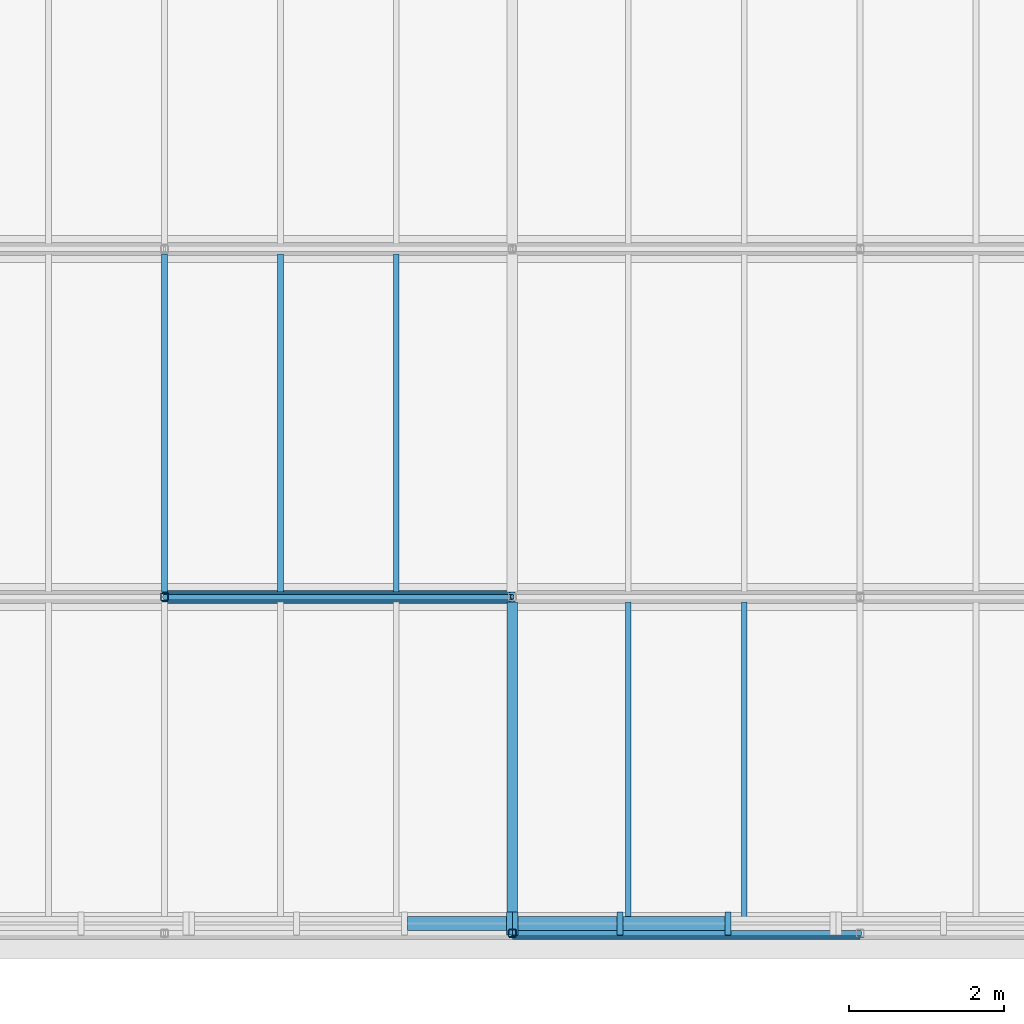
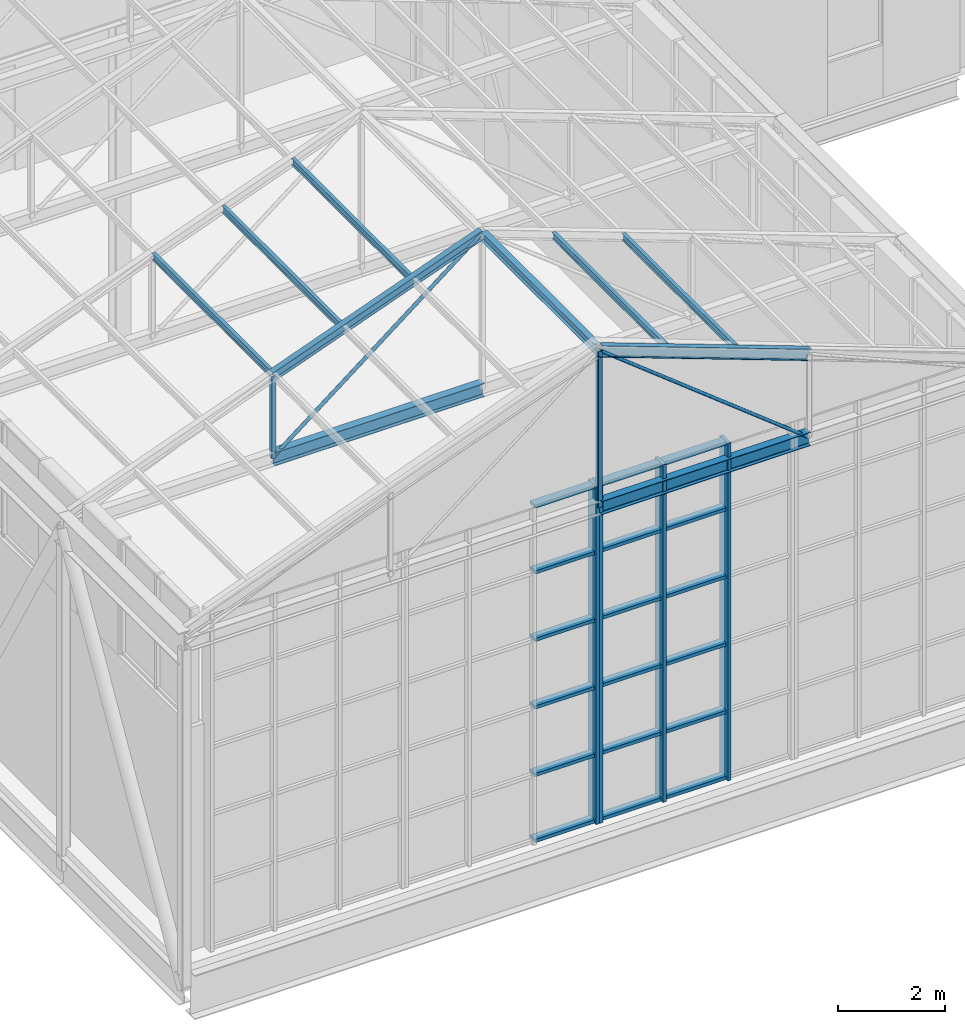
# One storey, part 13 of 90: 36 members, 2 elements without a shape of their own.
"""IFC4 building model written with IfcOpenShell, lengths in metres."""

from ifc_helpers import new_model, si_unit, direction, frame, origin, origin_2d, place, context, subcontext, project, spatial, rectangle, hollow_rectangle, hollow_circle, i_section, extrude, material, layer, layer_set, material_profile, profile_set, type_object, element, aggregate, save


model = new_model("IFC4")

# Units and contexts
model_context = context("Model", 3, precision=1e-05, world=origin(), true_north=direction((0.0, 1.0)))
body_context = subcontext(model_context, "Body", "Model", "MODEL_VIEW")
ifc_project = project(units=[si_unit("LENGTHUNIT", "METRE"), si_unit("AREAUNIT", "SQUARE_METRE"), si_unit("VOLUMEUNIT", "CUBIC_METRE"), si_unit("PLANEANGLEUNIT", "RADIAN"), si_unit("MASSUNIT", "GRAM", prefix="KILO")], contexts=[model_context])

# Site, building, storey
site_placement = place(None, origin())
site = spatial("IfcSite", under=ifc_project, at=site_placement, CompositionType="ELEMENT")
building_placement = place(site_placement, origin())
building = spatial("IfcBuilding", under=site, at=building_placement, Name="Halyard Row Museum", CompositionType="ELEMENT")
storey_placement = place(building_placement, frame((0.0, 0.0, 13.39990234375)))
storey = spatial("IfcBuildingStorey", under=building, at=storey_placement, Name="L03", CompositionType="ELEMENT", Elevation=13.39990234375)

# Curtain wall, member
ifc_material_1 = material(Name="Double glazed unit, low-emissivity", Category="glass")
ifc_layer = layer(ifc_material_1, 0.300048828125)
ifc_layer_set = layer_set([ifc_layer], Name="Double glazed unit, low-emissivity")
curtain_wall_type = type_object("IfcCurtainWallType", Name="Curtain wall deep-framed 300 deep", PredefinedType="NOTDEFINED", material=ifc_layer_set)
curtain_wall_1_placement = place(storey_placement, origin())
curtain_wall_1 = element("IfcCurtainWall", 1, at=curtain_wall_1_placement, inside=storey, type_object=curtain_wall_type, Name="Curtain wall CW064", PredefinedType="NOTDEFINED")
ifc_material_2 = material(Name="Powder-coated aluminium section", Category="aluminium")
ifc_material_profile_1 = material_profile(ifc_material_2, rectangle(XDim=0.300048828125, YDim=0.074951171875, at=origin_2d()), Name="300x75 mullion")
ifc_profile_set_1 = profile_set([ifc_material_profile_1], Name="Powder-coated aluminium section")
member_type_1 = type_object("IfcMemberType", Name="Curtain wall mullion CM6 75 x 300", PredefinedType="MULLION", material=ifc_profile_set_1)
member_1_placement = place(storey_placement, frame((44.96240234375, 0.27490234375, 0.0), z_axis=(0.0, 0.0, 1.0), x_axis=(0.0, 1.0, 0.0)))
member_1 = element("IfcMember", 2, at=member_1_placement, type_object=member_type_1, Name="CW064 mullion 4", PredefinedType="MULLION", context=body_context, shape_type="SweptSolid", body=[
    extrude(rectangle(XDim=0.300048828125, YDim=0.074951171875, at=origin_2d()), origin(), (0.0, 0.0, 1.0), 7.6728515625),
])

# Curtain wall, members
curtain_wall_2_placement = place(storey_placement, origin())
curtain_wall_2 = element("IfcCurtainWall", 3, at=curtain_wall_2_placement, inside=storey, type_object=curtain_wall_type, Name="Curtain wall CW065", PredefinedType="NOTDEFINED")
member_2_placement = place(storey_placement, frame((45.03759765625, 0.27490234375, 0.0), z_axis=(0.0, 0.0, 1.0), x_axis=(0.0, 1.0, 0.0)))
member_2 = element("IfcMember", 4, at=member_2_placement, type_object=member_type_1, Name="CW065 mullion 1", PredefinedType="MULLION", context=body_context, shape_type="SweptSolid", body=[
    extrude(rectangle(XDim=0.300048828125, YDim=0.074951171875, at=origin_2d()), origin(), (0.0, 0.0, 1.0), 7.6728515625),
])
member_3_placement = place(storey_placement, frame((46.39501953125, 0.27490234375, 0.0), z_axis=(0.0, 0.0, 1.0), x_axis=(0.0, 1.0, 0.0)))
member_3 = element("IfcMember", 5, at=member_3_placement, type_object=member_type_1, Name="CW065 mullion 2", PredefinedType="MULLION", context=body_context, shape_type="SweptSolid", body=[
    extrude(rectangle(XDim=0.300048828125, YDim=0.074951171875, at=origin_2d()), origin(), (0.0, 0.0, 1.0), 7.6728515625),
])
member_4_placement = place(storey_placement, frame((47.7900390625, 0.27490234375, 0.0), z_axis=(0.0, 0.0, 1.0), x_axis=(0.0, 1.0, 0.0)))
member_4 = element("IfcMember", 6, at=member_4_placement, type_object=member_type_1, Name="CW065 mullion 3", PredefinedType="MULLION", context=body_context, shape_type="SweptSolid", body=[
    extrude(rectangle(XDim=0.300048828125, YDim=0.074951171875, at=origin_2d()), origin(), (0.0, 0.0, 1.0), 7.6728515625),
])

# Member
ifc_material_3 = material(Name="Powder-coated aluminium section", Category="aluminium")
ifc_material_profile_2 = material_profile(ifc_material_3, rectangle(XDim=0.179931640625, YDim=0.074951171875, at=origin_2d()), Name="180x75 transom")
ifc_profile_set_2 = profile_set([ifc_material_profile_2], Name="Powder-coated aluminium section")
member_type_2 = type_object("IfcMemberType", Name="Curtain wall transom CT6 75 x 180", PredefinedType="USERDEFINED", material=ifc_profile_set_2)
member_5_placement = place(storey_placement, frame((43.642578125, 0.27490234375, 0.03759765625), z_axis=(1.0, 0.0, 0.0), x_axis=(0.0, 1.0, 0.0)))
member_5 = element("IfcMember", 7, at=member_5_placement, type_object=member_type_2, Name="CW064 transom 3.1", ObjectType="TRANSOM", PredefinedType="USERDEFINED", context=body_context, shape_type="SweptSolid", body=[
    extrude(rectangle(XDim=0.179931640625, YDim=0.074951171875, at=origin_2d()), origin(), (0.0, 0.0, 1.0), 1.282470703125),
])

member_6_placement = place(storey_placement, frame((43.642578125, 0.27490234375, 1.53466796875), z_axis=(1.0, 0.0, 0.0), x_axis=(0.0, 1.0, 0.0)))
member_6 = element("IfcMember", 8, at=member_6_placement, type_object=member_type_2, Name="CW064 transom 3.2", ObjectType="TRANSOM", PredefinedType="USERDEFINED", context=body_context, shape_type="SweptSolid", body=[
    extrude(rectangle(XDim=0.179931640625, YDim=0.074951171875, at=origin_2d()), origin(), (0.0, 0.0, 1.0), 1.282470703125),
])

member_7_placement = place(storey_placement, frame((43.642578125, 0.27490234375, 3.069091796875), z_axis=(1.0, 0.0, 0.0), x_axis=(0.0, 1.0, 0.0)))
member_7 = element("IfcMember", 9, at=member_7_placement, type_object=member_type_2, Name="CW064 transom 3.3", ObjectType="TRANSOM", PredefinedType="USERDEFINED", context=body_context, shape_type="SweptSolid", body=[
    extrude(rectangle(XDim=0.179931640625, YDim=0.074951171875, at=origin_2d()), origin(), (0.0, 0.0, 1.0), 1.282470703125),
])

member_8_placement = place(storey_placement, frame((43.642578125, 0.27490234375, 4.603759765625), z_axis=(1.0, 0.0, 0.0), x_axis=(0.0, 1.0, 0.0)))
member_8 = element("IfcMember", 10, at=member_8_placement, type_object=member_type_2, Name="CW064 transom 3.4", ObjectType="TRANSOM", PredefinedType="USERDEFINED", context=body_context, shape_type="SweptSolid", body=[
    extrude(rectangle(XDim=0.179931640625, YDim=0.074951171875, at=origin_2d()), origin(), (0.0, 0.0, 1.0), 1.282470703125),
])

member_9_placement = place(storey_placement, frame((43.642578125, 0.27490234375, 6.13818359375), z_axis=(1.0, 0.0, 0.0), x_axis=(0.0, 1.0, 0.0)))
member_9 = element("IfcMember", 11, at=member_9_placement, type_object=member_type_2, Name="CW064 transom 3.5", ObjectType="TRANSOM", PredefinedType="USERDEFINED", context=body_context, shape_type="SweptSolid", body=[
    extrude(rectangle(XDim=0.179931640625, YDim=0.074951171875, at=origin_2d()), origin(), (0.0, 0.0, 1.0), 1.282470703125),
])

member_10_placement = place(storey_placement, frame((43.642578125, 0.27490234375, 7.63525390625), z_axis=(1.0, 0.0, 0.0), x_axis=(0.0, 1.0, 0.0)))
member_10 = element("IfcMember", 12, at=member_10_placement, type_object=member_type_2, Name="CW064 transom 3.6", ObjectType="TRANSOM", PredefinedType="USERDEFINED", context=body_context, shape_type="SweptSolid", body=[
    extrude(rectangle(XDim=0.179931640625, YDim=0.074951171875, at=origin_2d()), origin(), (0.0, 0.0, 1.0), 1.282470703125),
])

aggregate(curtain_wall_1, [member_1, member_5, member_6, member_7, member_8, member_9, member_10])

member_11_placement = place(storey_placement, frame((45.074951171875, 0.27490234375, 0.03759765625), z_axis=(1.0, 0.0, 0.0), x_axis=(0.0, 1.0, 0.0)))
member_11 = element("IfcMember", 13, at=member_11_placement, type_object=member_type_2, Name="CW065 transom 1.1", ObjectType="TRANSOM", PredefinedType="USERDEFINED", context=body_context, shape_type="SweptSolid", body=[
    extrude(rectangle(XDim=0.179931640625, YDim=0.074951171875, at=origin_2d()), origin(), (0.0, 0.0, 1.0), 1.282470703125),
])

member_12_placement = place(storey_placement, frame((45.074951171875, 0.27490234375, 1.53466796875), z_axis=(1.0, 0.0, 0.0), x_axis=(0.0, 1.0, 0.0)))
member_12 = element("IfcMember", 14, at=member_12_placement, type_object=member_type_2, Name="CW065 transom 1.2", ObjectType="TRANSOM", PredefinedType="USERDEFINED", context=body_context, shape_type="SweptSolid", body=[
    extrude(rectangle(XDim=0.179931640625, YDim=0.074951171875, at=origin_2d()), origin(), (0.0, 0.0, 1.0), 1.282470703125),
])

member_13_placement = place(storey_placement, frame((45.074951171875, 0.27490234375, 3.069091796875), z_axis=(1.0, 0.0, 0.0), x_axis=(0.0, 1.0, 0.0)))
member_13 = element("IfcMember", 15, at=member_13_placement, type_object=member_type_2, Name="CW065 transom 1.3", ObjectType="TRANSOM", PredefinedType="USERDEFINED", context=body_context, shape_type="SweptSolid", body=[
    extrude(rectangle(XDim=0.179931640625, YDim=0.074951171875, at=origin_2d()), origin(), (0.0, 0.0, 1.0), 1.282470703125),
])

member_14_placement = place(storey_placement, frame((45.074951171875, 0.27490234375, 4.603759765625), z_axis=(1.0, 0.0, 0.0), x_axis=(0.0, 1.0, 0.0)))
member_14 = element("IfcMember", 16, at=member_14_placement, type_object=member_type_2, Name="CW065 transom 1.4", ObjectType="TRANSOM", PredefinedType="USERDEFINED", context=body_context, shape_type="SweptSolid", body=[
    extrude(rectangle(XDim=0.179931640625, YDim=0.074951171875, at=origin_2d()), origin(), (0.0, 0.0, 1.0), 1.282470703125),
])

member_15_placement = place(storey_placement, frame((45.074951171875, 0.27490234375, 6.13818359375), z_axis=(1.0, 0.0, 0.0), x_axis=(0.0, 1.0, 0.0)))
member_15 = element("IfcMember", 17, at=member_15_placement, type_object=member_type_2, Name="CW065 transom 1.5", ObjectType="TRANSOM", PredefinedType="USERDEFINED", context=body_context, shape_type="SweptSolid", body=[
    extrude(rectangle(XDim=0.179931640625, YDim=0.074951171875, at=origin_2d()), origin(), (0.0, 0.0, 1.0), 1.282470703125),
])

member_16_placement = place(storey_placement, frame((45.074951171875, 0.27490234375, 7.63525390625), z_axis=(1.0, 0.0, 0.0), x_axis=(0.0, 1.0, 0.0)))
member_16 = element("IfcMember", 18, at=member_16_placement, type_object=member_type_2, Name="CW065 transom 1.6", ObjectType="TRANSOM", PredefinedType="USERDEFINED", context=body_context, shape_type="SweptSolid", body=[
    extrude(rectangle(XDim=0.179931640625, YDim=0.074951171875, at=origin_2d()), origin(), (0.0, 0.0, 1.0), 1.282470703125),
])

member_17_placement = place(storey_placement, frame((46.4326171875, 0.27490234375, 0.03759765625), z_axis=(1.0, 0.0, 0.0), x_axis=(0.0, 1.0, 0.0)))
member_17 = element("IfcMember", 19, at=member_17_placement, type_object=member_type_2, Name="CW065 transom 2.1", ObjectType="TRANSOM", PredefinedType="USERDEFINED", context=body_context, shape_type="SweptSolid", body=[
    extrude(rectangle(XDim=0.179931640625, YDim=0.074951171875, at=origin_2d()), origin(), (0.0, 0.0, 1.0), 1.31982421875),
])

member_18_placement = place(storey_placement, frame((46.4326171875, 0.27490234375, 1.53466796875), z_axis=(1.0, 0.0, 0.0), x_axis=(0.0, 1.0, 0.0)))
member_18 = element("IfcMember", 20, at=member_18_placement, type_object=member_type_2, Name="CW065 transom 2.2", ObjectType="TRANSOM", PredefinedType="USERDEFINED", context=body_context, shape_type="SweptSolid", body=[
    extrude(rectangle(XDim=0.179931640625, YDim=0.074951171875, at=origin_2d()), origin(), (0.0, 0.0, 1.0), 1.31982421875),
])

member_19_placement = place(storey_placement, frame((46.4326171875, 0.27490234375, 3.069091796875), z_axis=(1.0, 0.0, 0.0), x_axis=(0.0, 1.0, 0.0)))
member_19 = element("IfcMember", 21, at=member_19_placement, type_object=member_type_2, Name="CW065 transom 2.3", ObjectType="TRANSOM", PredefinedType="USERDEFINED", context=body_context, shape_type="SweptSolid", body=[
    extrude(rectangle(XDim=0.179931640625, YDim=0.074951171875, at=origin_2d()), origin(), (0.0, 0.0, 1.0), 1.31982421875),
])

member_20_placement = place(storey_placement, frame((46.4326171875, 0.27490234375, 4.603759765625), z_axis=(1.0, 0.0, 0.0), x_axis=(0.0, 1.0, 0.0)))
member_20 = element("IfcMember", 22, at=member_20_placement, type_object=member_type_2, Name="CW065 transom 2.4", ObjectType="TRANSOM", PredefinedType="USERDEFINED", context=body_context, shape_type="SweptSolid", body=[
    extrude(rectangle(XDim=0.179931640625, YDim=0.074951171875, at=origin_2d()), origin(), (0.0, 0.0, 1.0), 1.31982421875),
])

member_21_placement = place(storey_placement, frame((46.4326171875, 0.27490234375, 6.13818359375), z_axis=(1.0, 0.0, 0.0), x_axis=(0.0, 1.0, 0.0)))
member_21 = element("IfcMember", 23, at=member_21_placement, type_object=member_type_2, Name="CW065 transom 2.5", ObjectType="TRANSOM", PredefinedType="USERDEFINED", context=body_context, shape_type="SweptSolid", body=[
    extrude(rectangle(XDim=0.179931640625, YDim=0.074951171875, at=origin_2d()), origin(), (0.0, 0.0, 1.0), 1.31982421875),
])

member_22_placement = place(storey_placement, frame((46.4326171875, 0.27490234375, 7.63525390625), z_axis=(1.0, 0.0, 0.0), x_axis=(0.0, 1.0, 0.0)))
member_22 = element("IfcMember", 24, at=member_22_placement, type_object=member_type_2, Name="CW065 transom 2.6", ObjectType="TRANSOM", PredefinedType="USERDEFINED", context=body_context, shape_type="SweptSolid", body=[
    extrude(rectangle(XDim=0.179931640625, YDim=0.074951171875, at=origin_2d()), origin(), (0.0, 0.0, 1.0), 1.31982421875),
])

aggregate(curtain_wall_2, [member_2, member_3, member_4, member_11, member_12, member_13, member_14, member_15, member_16, member_17, member_18, member_19, member_20, member_21, member_22])

# Members
ifc_material_4 = material(Name="Steel Grade 300", Category="steel")
ifc_material_profile_3 = material_profile(ifc_material_4, i_section(OverallWidth=0.074951171875, OverallDepth=0.155029296875, WebThickness=0.006103515625, FlangeThickness=0.009521484375, FilletRadius=0.008056640625, at=origin_2d()), Name="150UB18.0")
ifc_profile_set_3 = profile_set([ifc_material_profile_3], Name="Steel Grade 300")
member_type_3 = type_object("IfcMemberType", Name="Purlin 150UB18.0", PredefinedType="PURLIN", material=ifc_profile_set_3)
for number, where, z_axis, x_axis, name in (
    (25, (40.5, 4.56640625, 9.133544921875), (0.0, 1.0, 0.0), (-1.0, 0.0, 0.0), "V4 purlin PL3.2"),
    (26, (42.0, 4.56640625, 9.685302734375), (0.0, 1.0, 0.0), (-1.0, 0.0, 0.0), "V4 purlin PL4.2"),
    (27, (43.5, 4.56640625, 10.237060546875), (0.0, 1.0, 0.0), (-1.0, 0.0, 0.0), "V4 purlin PL5.2"),
):
    element("IfcMember", number, at=place(storey_placement, frame(where, z_axis=z_axis, x_axis=x_axis)), inside=storey, type_object=member_type_3, Name=name, PredefinedType="PURLIN", context=body_context, shape_type="SweptSolid", body=[
        extrude(i_section(OverallWidth=0.074951171875, OverallDepth=0.155029296875, WebThickness=0.006103515625, FlangeThickness=0.009521484375, FilletRadius=0.008056640625, at=origin_2d()), origin(), (0.0, 0.0, 1.0), 4.3671875),
    ])
for number, where, z_axis, x_axis, name in (
    (28, (46.5, 0.216552734375, 10.237060546875), (0.0, 1.0, 0.0), (-1.0, 0.0, 0.0), "V4 purlin PR5.1"),
    (29, (48.0, 0.216552734375, 9.685302734375), (0.0, 1.0, 0.0), (-1.0, 0.0, 0.0), "V4 purlin PR4.1"),
):
    element("IfcMember", number, at=place(storey_placement, frame(where, z_axis=z_axis, x_axis=x_axis)), inside=storey, type_object=member_type_3, Name=name, PredefinedType="PURLIN", context=body_context, shape_type="SweptSolid", body=[
        extrude(i_section(OverallWidth=0.074951171875, OverallDepth=0.155029296875, WebThickness=0.006103515625, FlangeThickness=0.009521484375, FilletRadius=0.008056640625, at=origin_2d()), origin(), (0.0, 0.0, 1.0), 4.217041015625),
    ])
ifc_material_5 = material(Name="Steel Grade 300", Category="steel")
ifc_material_profile_4 = material_profile(ifc_material_5, i_section(OverallWidth=0.133056640625, OverallDepth=0.20166015625, WebThickness=0.0048828125, FlangeThickness=0.007080078125, FilletRadius=0.0087890625, at=origin_2d()), Name="200UB22.3")
ifc_profile_set_4 = profile_set([ifc_material_profile_4], Name="Steel Grade 300")
member_type_4 = type_object("IfcMemberType", Name="Purlin 200UB22.3 ridge", PredefinedType="PURLIN", material=ifc_profile_set_4)
member_23_placement = place(storey_placement, frame((45.0, 0.216552734375, 10.7548828125), z_axis=(0.0, 1.0, 0.0), x_axis=(-1.0, 0.0, 0.0)))
element("IfcMember", 30, at=member_23_placement, inside=storey, type_object=member_type_4, Name="V4 purlin PRG.1", PredefinedType="PURLIN", context=body_context, shape_type="SweptSolid", body=[
    extrude(i_section(OverallWidth=0.133056640625, OverallDepth=0.20166015625, WebThickness=0.0048828125, FlangeThickness=0.007080078125, FilletRadius=0.0087890625, at=origin_2d()), origin(), (0.0, 0.0, 1.0), 4.217041015625),
])
ifc_material_6 = material(Name="Steel Grade C250L0", Category="steel")
ifc_material_profile_5 = material_profile(ifc_material_6, hollow_circle(Radius=0.0380859375, WallThickness=0.00439453125, at=origin_2d()), Name="76.1x4.5CHS")
ifc_profile_set_5 = profile_set([ifc_material_profile_5], Name="Steel Grade C250L0")
member_type_5 = type_object("IfcMemberType", Name="Roof truss diagonal 76.1x4.5CHS", PredefinedType="BRACE", material=ifc_profile_set_5)
member_24_placement = place(storey_placement, frame((49.5, 0.14990234375, 7.197998046875), z_axis=(-0.785101867341, 0.0, 0.619366658691), x_axis=(0.0, -1.0, 0.0)))
element("IfcMember", 31, at=member_24_placement, inside=storey, type_object=member_type_5, Name="V4RT1 diagonal 3", PredefinedType="BRACE", context=body_context, shape_type="SweptSolid", body=[
    extrude(hollow_circle(Radius=0.0380859375, WallThickness=0.00439453125, at=origin_2d()), origin(), (0.0, 0.0, 1.0), 5.731689453125),
])
member_25_placement = place(storey_placement, frame((40.5, 4.5, 7.2490234375), z_axis=(0.787340018202, 0.0, 0.616519014904), x_axis=(0.0, 1.0, 0.0)))
element("IfcMember", 32, at=member_25_placement, inside=storey, type_object=member_type_5, Name="V4RT2 diagonal 2", PredefinedType="BRACE", context=body_context, shape_type="SweptSolid", body=[
    extrude(hollow_circle(Radius=0.0380859375, WallThickness=0.00439453125, at=origin_2d()), origin(), (0.0, 0.0, 1.0), 5.71533203125),
])
ifc_material_7 = material(Name="Steel Grade C350L0", Category="steel")
ifc_material_profile_6 = material_profile(ifc_material_7, hollow_rectangle(XDim=0.10009765625, YDim=0.10009765625, WallThickness=0.006103515625, InnerFilletRadius=0.009033203125, OuterFilletRadius=0.014892578125, at=origin_2d()), Name="100x100x6.0SHS")
ifc_profile_set_6 = profile_set([ifc_material_profile_6], Name="Steel Grade C350L0")
member_type_6 = type_object("IfcMemberType", Name="Roof truss post 100x100x6.0SHS", PredefinedType="POST", material=ifc_profile_set_6)
member_26_placement = place(storey_placement, frame((45.0, 0.14990234375, 7.197998046875), z_axis=(0.0, 0.0, 1.0), x_axis=(1.0, 0.0, 0.0)))
element("IfcMember", 33, at=member_26_placement, inside=storey, type_object=member_type_6, Name="V4RT1 post 2", PredefinedType="POST", context=body_context, shape_type="SweptSolid", body=[
    extrude(hollow_rectangle(XDim=0.10009765625, YDim=0.10009765625, WallThickness=0.006103515625, InnerFilletRadius=0.009033203125, OuterFilletRadius=0.014892578125, at=origin_2d()), origin(), (0.0, 0.0, 1.0), 3.550048828125),
])
member_27_placement = place(storey_placement, frame((40.5, 4.5, 7.2490234375), z_axis=(0.0, 0.0, 1.0), x_axis=(1.0, 0.0, 0.0)))
element("IfcMember", 34, at=member_27_placement, inside=storey, type_object=member_type_6, Name="V4RT2 post 1", PredefinedType="POST", context=body_context, shape_type="SweptSolid", body=[
    extrude(hollow_rectangle(XDim=0.10009765625, YDim=0.10009765625, WallThickness=0.006103515625, InnerFilletRadius=0.009033203125, OuterFilletRadius=0.014892578125, at=origin_2d()), origin(), (0.0, 0.0, 1.0), 1.868408203125),
])
ifc_material_8 = material(Name="Steel Grade 300", Category="steel")
ifc_material_profile_7 = material_profile(ifc_material_8, i_section(OverallWidth=0.133056640625, OverallDepth=0.20166015625, WebThickness=0.0048828125, FlangeThickness=0.007080078125, FilletRadius=0.0087890625, at=origin_2d()), Name="200UB22.3")
ifc_profile_set_7 = profile_set([ifc_material_profile_7], Name="Steel Grade 300")
member_type_7 = type_object("IfcMemberType", Name="Roof truss rafter 200UB22.3 rafter", PredefinedType="RAFTER", material=ifc_profile_set_7)
member_28_placement = place(storey_placement, frame((40.5, 4.5, 9.117431640625), z_axis=(0.938520336973, 0.0, 0.345223952077), x_axis=(0.0, 1.0, 0.0)))
element("IfcMember", 35, at=member_28_placement, inside=storey, type_object=member_type_7, Name="V4RT2 rafter 2", PredefinedType="RAFTER", context=body_context, shape_type="SweptSolid", body=[
    extrude(i_section(OverallWidth=0.133056640625, OverallDepth=0.20166015625, WebThickness=0.0048828125, FlangeThickness=0.007080078125, FilletRadius=0.0087890625, at=origin_2d()), origin(), (0.0, 0.0, 1.0), 4.794677734375),
])
ifc_material_9 = material(Name="Steel Grade 300", Category="steel")
ifc_material_profile_8 = material_profile(ifc_material_9, i_section(OverallWidth=0.1240234375, OverallDepth=0.248046875, WebThickness=0.0048828125, FlangeThickness=0.008056640625, FilletRadius=0.011962890625, at=origin_2d()), Name="250UB25.7")
ifc_profile_set_8 = profile_set([ifc_material_profile_8], Name="Steel Grade 300")
member_type_8 = type_object("IfcMemberType", Name="Roof truss rafter 250UB25.7 end truss", PredefinedType="RAFTER", material=ifc_profile_set_8)
member_29_placement = place(storey_placement, frame((45.0, 0.14990234375, 10.748046875), z_axis=(0.938520336973, 0.0, -0.345223952077), x_axis=(0.0, 1.0, 0.0)))
element("IfcMember", 36, at=member_29_placement, inside=storey, type_object=member_type_8, Name="V4RT1 rafter 3", PredefinedType="RAFTER", context=body_context, shape_type="SweptSolid", body=[
    extrude(i_section(OverallWidth=0.1240234375, OverallDepth=0.248046875, WebThickness=0.0048828125, FlangeThickness=0.008056640625, FilletRadius=0.011962890625, at=origin_2d()), origin(), (0.0, 0.0, 1.0), 4.794677734375),
])
ifc_material_10 = material(Name="Steel Grade 300", Category="steel")
ifc_material_profile_9 = material_profile(ifc_material_10, i_section(OverallWidth=0.1650390625, OverallDepth=0.303955078125, WebThickness=0.006103515625, FlangeThickness=0.01025390625, FilletRadius=0.011474609375, at=origin_2d()), Name="310UB40.4")
ifc_profile_set_9 = profile_set([ifc_material_profile_9], Name="Steel Grade 300")
member_type_9 = type_object("IfcMemberType", Name="Roof truss tie 310UB40.4 tie", PredefinedType="CHORD", material=ifc_profile_set_9)
member_30_placement = place(storey_placement, frame((40.5, 4.5, 7.2490234375), z_axis=(1.0, 0.0, 0.0), x_axis=(0.0, 1.0, 0.0)))
element("IfcMember", 37, at=member_30_placement, inside=storey, type_object=member_type_9, Name="V4RT2 tie 2", PredefinedType="CHORD", context=body_context, shape_type="SweptSolid", body=[
    extrude(i_section(OverallWidth=0.1650390625, OverallDepth=0.303955078125, WebThickness=0.006103515625, FlangeThickness=0.01025390625, FilletRadius=0.011474609375, at=origin_2d()), origin(), (0.0, 0.0, 1.0), 4.5),
])
ifc_material_11 = material(Name="Steel Grade 300", Category="steel")
ifc_material_profile_10 = material_profile(ifc_material_11, i_section(OverallWidth=0.166015625, OverallDepth=0.30712890625, WebThickness=0.006591796875, FlangeThickness=0.01171875, FilletRadius=0.011474609375, at=origin_2d()), Name="310UB46.2")
ifc_profile_set_10 = profile_set([ifc_material_profile_10], Name="Steel Grade 300")
member_type_10 = type_object("IfcMemberType", Name="Roof truss tie 310UB46.2 end truss", PredefinedType="CHORD", material=ifc_profile_set_10)
member_31_placement = place(storey_placement, frame((45.0, 0.14990234375, 7.197998046875), z_axis=(1.0, 0.0, 0.0), x_axis=(0.0, 1.0, 0.0)))
element("IfcMember", 38, at=member_31_placement, inside=storey, type_object=member_type_10, Name="V4RT1 tie 3", PredefinedType="CHORD", context=body_context, shape_type="SweptSolid", body=[
    extrude(i_section(OverallWidth=0.166015625, OverallDepth=0.30712890625, WebThickness=0.006591796875, FlangeThickness=0.01171875, FilletRadius=0.011474609375, at=origin_2d()), origin(), (0.0, 0.0, 1.0), 4.5),
])

save(model, "model.ifc")
